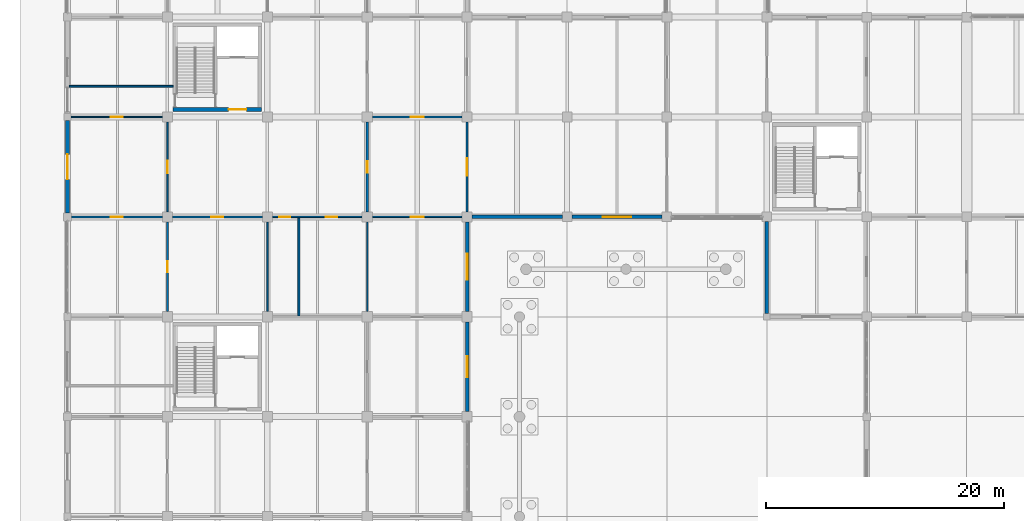
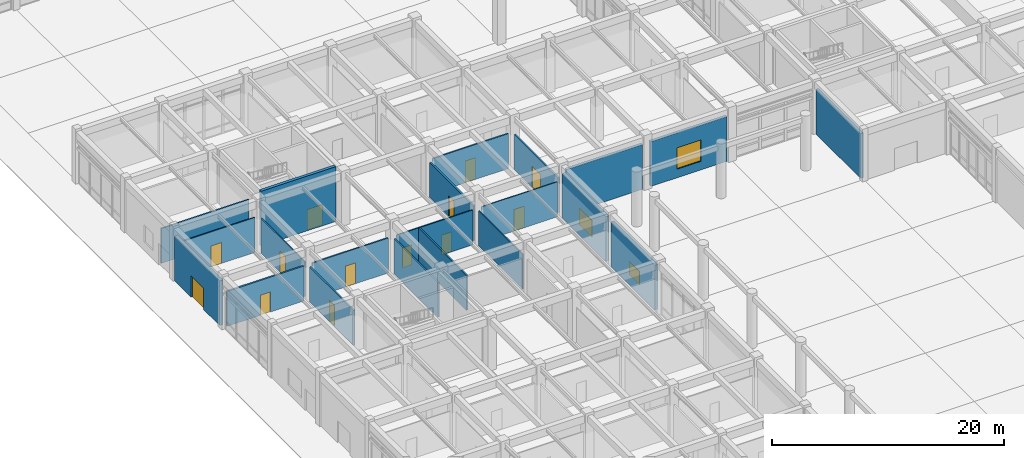
# One storey, part 67 of 91: 21 walls, 13 doors, 3 windows, 16 openings.
"""IFC4 building model written with IfcOpenShell, lengths in metres."""

from ifc_helpers import new_model, si_unit, direction, frame, frame_2d, origin, place, context, subcontext, project, spatial, rectangle, extrude, material, layer, layer_set, type_object, element, fill, save


model = new_model("IFC4")

# Units and contexts
model_context = context("Model", 3, precision=1e-05, world=origin(), true_north=direction((0.0, 1.0)))
body_context = subcontext(model_context, "Body", "Model", "MODEL_VIEW")
ifc_project = project(units=[si_unit("LENGTHUNIT", "METRE"), si_unit("AREAUNIT", "SQUARE_METRE"), si_unit("VOLUMEUNIT", "CUBIC_METRE"), si_unit("PLANEANGLEUNIT", "RADIAN"), si_unit("MASSUNIT", "GRAM", prefix="KILO")], contexts=[model_context])

# Site, building, storey
site_placement = place(None, origin())
site = spatial("IfcSite", under=ifc_project, at=site_placement, CompositionType="ELEMENT")
building_placement = place(site_placement, origin())
building = spatial("IfcBuilding", under=site, at=building_placement, Name="Porcellanite Civic Hall", CompositionType="ELEMENT")
storey_placement = place(building_placement, origin())
storey = spatial("IfcBuildingStorey", under=building, at=storey_placement, Name="L00", CompositionType="ELEMENT", Elevation=0.0)

# Wall, opening, door
ifc_material_1 = material(Name="Concrete N40 (40 MPa)", Category="concrete")
ifc_layer_1 = layer(ifc_material_1, 0.300048828125)
ifc_layer_set_1 = layer_set([ifc_layer_1], Name="Concrete N40 (40 MPa)")
wall_type_1 = type_object("IfcWallType", Name="CW-SH300", PredefinedType="SHEAR", material=ifc_layer_set_1)
wall_1_placement = place(storey_placement, frame((16.320068359375, 59.429931640625, 0.0), z_axis=(0.0, 0.0, 1.0), x_axis=(-1.0, 0.0, 0.0)))
wall_1 = element("IfcWall", 1, at=wall_1_placement, inside=storey, type_object=wall_type_1, Name="Core wall C2 L00 S", PredefinedType="SHEAR", context=body_context, shape_type="SweptSolid", body=[
    extrude(rectangle(XDim=7.440185546875, YDim=0.300048828125, at=frame_2d((3.72021484375, 0.0))), origin(), (0.0, 0.0, 1.0), 5.760009765625),
])
opening_1_placement = place(wall_1_placement, frame((1.280029296875, 0.0, 0.0)))
opening_1 = element("IfcOpeningElement", 2, at=opening_1_placement, cuts=wall_1, Name="Opening FD-C2-L00-LB", PredefinedType="OPENING", context=body_context, shape_type="SweptSolid", body=[
    extrude(rectangle(XDim=1.5, YDim=2.14990234375, at=frame_2d((0.75, 1.074951171875))), frame((0.0, 0.14990234375, 0.0), z_axis=(0.0, -1.0, 0.0), x_axis=(1.0, 0.0, 0.0)), (0.0, 0.0, 1.0), 0.300048828125),
])
ifc_material_2 = material(Name="Fire-rated steel and Georgian wired glass", Category="steel")
door_type_1 = type_object("IfcDoorType", Name="DR-FD150", OperationType="DOUBLE_DOOR_SINGLE_SWING", PredefinedType="DOOR", material=ifc_material_2)
door_1_placement = place(opening_1_placement, origin())
door_1 = element("IfcDoor", 3, at=door_1_placement, inside=storey, type_object=door_type_1, Name="Fire lobby double door FD-C2-L00-LB", OperationType="DOUBLE_DOOR_SINGLE_SWING", OverallHeight=2.14990234375, OverallWidth=1.5, PredefinedType="DOOR", context=body_context, shape_type="SweptSolid", body=[
    extrude(rectangle(XDim=1.5, YDim=2.14990234375, at=frame_2d((0.75, 1.074951171875))), frame((0.0, 0.02490234375, 0.0), z_axis=(0.0, -1.0, 0.0), x_axis=(1.0, 0.0, 0.0)), (0.0, 0.0, 1.0), 0.050048828125),
])
fill(opening_1, door_1)

# Wall
ifc_material_3 = material(Name="Precast concrete N40 (40 MPa)", Category="concrete")
ifc_layer_2 = layer(ifc_material_3, 0.280029296875)
ifc_layer_set_2 = layer_set([ifc_layer_2], Name="Precast concrete N40 (40 MPa)")
wall_type_2 = type_object("IfcWallType", Name="EW-CLO280", PredefinedType="SOLIDWALL", material=ifc_layer_set_2)
wall_2_placement = place(storey_placement, frame((41.59912109375, 50.39990234375, 0.0), z_axis=(0.0, 0.0, 1.0), x_axis=(-1.0, 0.0, 0.0)))
element("IfcWall", 4, at=wall_2_placement, inside=storey, type_object=wall_type_2, Name="Exterior wall L00 S 5-7", PredefinedType="SOLIDWALL", context=body_context, shape_type="SweptSolid", body=[
    extrude(rectangle(XDim=7.5732421875, YDim=0.280029296875, at=frame_2d((3.78662109375, 0.0))), origin(), (0.0, 0.0, 1.0), 4.699951171875),
])

# Wall, opening, window
wall_3_placement = place(storey_placement, frame((49.9990234375, 50.39990234375, 0.0), z_axis=(0.0, 0.0, 1.0), x_axis=(-1.0, 0.0, 0.0)))
wall_3 = element("IfcWall", 5, at=wall_3_placement, inside=storey, type_object=wall_type_2, Name="Exterior wall L00 S 6-7", PredefinedType="SOLIDWALL", context=body_context, shape_type="SweptSolid", body=[
    extrude(rectangle(XDim=7.59814453125, YDim=0.280029296875, at=frame_2d((3.799072265625, 0.0))), origin(), (0.0, 0.0, 1.0), 4.699951171875),
])
opening_2_placement = place(wall_3_placement, frame((2.59912109375, 0.0, 0.89990234375)))
opening_2 = element("IfcOpeningElement", 6, at=opening_2_placement, cuts=wall_3, Name="Opening W19", PredefinedType="OPENING", context=body_context, shape_type="SweptSolid", body=[
    extrude(rectangle(XDim=2.39990234375, YDim=2.25, at=frame_2d((1.199951171875, 1.125))), frame((0.0, 0.14013671875, 0.0), z_axis=(0.0, -1.0, 0.0), x_axis=(1.0, 0.0, 0.0)), (0.0, 0.0, 1.0), 0.280029296875),
])
ifc_material_4 = material(Name="Cyclone laminated low-E glazing in anodised aluminium frame", Category="aluminium")
window_type_1 = type_object("IfcWindowType", Name="WN-19", PartitioningType="TRIPLE_PANEL_VERTICAL", PredefinedType="WINDOW", material=ifc_material_4)
window_1_placement = place(opening_2_placement, origin())
window_1 = element("IfcWindow", 7, at=window_1_placement, inside=storey, type_object=window_type_1, Name="Window W19 L00 S 6-7", OverallHeight=2.25, OverallWidth=2.39990234375, PartitioningType="SINGLE_PANEL", PredefinedType="WINDOW", context=body_context, shape_type="SweptSolid", body=[
    extrude(rectangle(XDim=2.39990234375, YDim=2.25, at=frame_2d((1.199951171875, 1.125))), frame((0.0, 0.030029296875, 0.0), z_axis=(0.0, -1.0, 0.0), x_axis=(1.0, 0.0, 0.0)), (0.0, 0.0, 1.0), 0.06005859375),
])
fill(opening_2, window_1)

# Wall
wall_4_placement = place(storey_placement, frame((58.800048828125, 42.27587890625, 0.0), z_axis=(0.0, 0.0, 1.0), x_axis=(0.0, 1.0, 0.0)))
element("IfcWall", 8, at=wall_4_placement, inside=storey, type_object=wall_type_2, Name="Exterior wall L00 W 8-6", PredefinedType="SOLIDWALL", context=body_context, shape_type="SweptSolid", body=[
    extrude(rectangle(XDim=7.72314453125, YDim=0.280029296875, at=frame_2d((3.861572265625, 0.0))), origin(), (0.0, 0.0, 1.0), 4.699951171875),
])

# Wall, opening, door
ifc_material_5 = material(Name="Precast concrete N40 (40 MPa)", Category="concrete")
ifc_layer_3 = layer(ifc_material_5, 0.320068359375)
ifc_layer_set_3 = layer_set([ifc_layer_3], Name="Precast concrete N40 (40 MPa)")
wall_type_3 = type_object("IfcWallType", Name="EW-COM320", PredefinedType="SOLIDWALL", material=ifc_layer_set_3)
wall_5_placement = place(storey_placement, frame((0.0, 50.72607421875, 0.0), z_axis=(0.0, 0.0, 1.0), x_axis=(0.0, 1.0, 0.0)))
wall_5 = element("IfcWall", 9, at=wall_5_placement, inside=storey, type_object=wall_type_3, Name="Exterior wall L00 W 1-7", PredefinedType="SOLIDWALL", context=body_context, shape_type="SweptSolid", body=[
    extrude(rectangle(XDim=7.77294921875, YDim=0.320068359375, at=frame_2d((3.886474609375, 0.0))), origin(), (0.0, 0.0, 1.0), 4.699951171875),
])
opening_3_placement = place(wall_5_placement, frame((2.8369140625, 0.0, 0.0)))
opening_3 = element("IfcOpeningElement", 10, at=opening_3_placement, cuts=wall_5, Name="Opening ED-11", PredefinedType="OPENING", context=body_context, shape_type="SweptSolid", body=[
    extrude(rectangle(XDim=2.10009765625, YDim=2.25, at=frame_2d((1.050048828125, 1.125))), frame((0.0, 0.16015625, 0.0), z_axis=(0.0, -1.0, 0.0), x_axis=(1.0, 0.0, 0.0)), (0.0, 0.0, 1.0), 0.320068359375),
])
ifc_material_6 = material(Name="Anodised aluminium and laminated safety glass", Category="aluminium")
door_type_2 = type_object("IfcDoorType", Name="DR-EXIT190", OperationType="DOUBLE_DOOR_SINGLE_SWING", PredefinedType="DOOR", material=ifc_material_6)
door_2_placement = place(opening_3_placement, origin())
door_2 = element("IfcDoor", 11, at=door_2_placement, inside=storey, type_object=door_type_2, Name="Pedestrian final exit door ED-11", OperationType="DOUBLE_DOOR_SINGLE_SWING", OverallHeight=2.25, OverallWidth=2.10009765625, PredefinedType="DOOR", context=body_context, shape_type="SweptSolid", body=[
    extrude(rectangle(XDim=2.10009765625, YDim=2.25, at=frame_2d((1.050048828125, 1.125))), frame((0.0, 0.02490234375, 0.0), z_axis=(0.0, -1.0, 0.0), x_axis=(1.0, 0.0, 0.0)), (0.0, 0.0, 1.0), 0.050048828125),
])
fill(opening_3, door_2)

# Wall, opening, window
wall_6_placement = place(storey_placement, frame((33.60009765625, 41.573974609375, 0.0), z_axis=(0.0, 0.0, 1.0), x_axis=(0.0, -1.0, 0.0)))
wall_6 = element("IfcWall", 12, at=wall_6_placement, inside=storey, type_object=wall_type_3, Name="Exterior wall L00 E 4-5", PredefinedType="SOLIDWALL", context=body_context, shape_type="SweptSolid", body=[
    extrude(rectangle(XDim=7.548095703125, YDim=0.320068359375, at=frame_2d((3.77392578125, 0.0))), origin(), (0.0, 0.0, 1.0), 4.699951171875),
])
opening_4_placement = place(wall_6_placement, frame((2.8740234375, 0.0, 0.89990234375)))
opening_4 = element("IfcOpeningElement", 13, at=opening_4_placement, cuts=wall_6, Name="Opening W12", PredefinedType="OPENING", context=body_context, shape_type="SweptSolid", body=[
    extrude(rectangle(XDim=1.800048828125, YDim=1.35009765625, at=frame_2d((0.89990234375, 0.675048828125))), frame((0.0, 0.16015625, 0.0), z_axis=(0.0, -1.0, 0.0), x_axis=(1.0, 0.0, 0.0)), (0.0, 0.0, 1.0), 0.320068359375),
])
ifc_material_7 = material(Name="Cyclone laminated low-E glazing in anodised aluminium frame", Category="aluminium")
window_type_2 = type_object("IfcWindowType", Name="WN-12", PartitioningType="DOUBLE_PANEL_VERTICAL", PredefinedType="WINDOW", material=ifc_material_7)
window_2_placement = place(opening_4_placement, origin())
window_2 = element("IfcWindow", 14, at=window_2_placement, inside=storey, type_object=window_type_2, Name="Window W12 L00 E 4-5", OverallHeight=1.35009765625, OverallWidth=1.800048828125, PartitioningType="SINGLE_PANEL", PredefinedType="WINDOW", context=body_context, shape_type="SweptSolid", body=[
    extrude(rectangle(XDim=1.800048828125, YDim=1.35009765625, at=frame_2d((0.89990234375, 0.675048828125))), frame((0.0, 0.030029296875, 0.0), z_axis=(0.0, -1.0, 0.0), x_axis=(1.0, 0.0, 0.0)), (0.0, 0.0, 1.0), 0.06005859375),
])
fill(opening_4, window_2)

wall_7_placement = place(storey_placement, frame((33.60009765625, 49.97412109375, 0.0), z_axis=(0.0, 0.0, 1.0), x_axis=(0.0, -1.0, 0.0)))
wall_7 = element("IfcWall", 15, at=wall_7_placement, inside=storey, type_object=wall_type_3, Name="Exterior wall L00 E 4-6", PredefinedType="SOLIDWALL", context=body_context, shape_type="SweptSolid", body=[
    extrude(rectangle(XDim=7.548095703125, YDim=0.320068359375, at=frame_2d((3.77392578125, 0.0))), origin(), (0.0, 0.0, 1.0), 4.699951171875),
])
opening_5_placement = place(wall_7_placement, frame((2.674072265625, 0.0, 0.89990234375)))
opening_5 = element("IfcOpeningElement", 16, at=opening_5_placement, cuts=wall_7, Name="Opening W13", PredefinedType="OPENING", context=body_context, shape_type="SweptSolid", body=[
    extrude(rectangle(XDim=2.199951171875, YDim=1.75, at=frame_2d((1.10009765625, 0.875))), frame((0.0, 0.16015625, 0.0), z_axis=(0.0, -1.0, 0.0), x_axis=(1.0, 0.0, 0.0)), (0.0, 0.0, 1.0), 0.320068359375),
])
ifc_material_8 = material(Name="Cyclone laminated low-E glazing in anodised aluminium frame", Category="aluminium")
window_type_3 = type_object("IfcWindowType", Name="WN-13", PartitioningType="DOUBLE_PANEL_VERTICAL", PredefinedType="WINDOW", material=ifc_material_8)
window_3_placement = place(opening_5_placement, origin())
window_3 = element("IfcWindow", 17, at=window_3_placement, inside=storey, type_object=window_type_3, Name="Window W13 L00 E 4-6", OverallHeight=1.75, OverallWidth=2.199951171875, PartitioningType="SINGLE_PANEL", PredefinedType="WINDOW", context=body_context, shape_type="SweptSolid", body=[
    extrude(rectangle(XDim=2.199951171875, YDim=1.75, at=frame_2d((1.10009765625, 0.875))), frame((0.0, 0.030029296875, 0.0), z_axis=(0.0, -1.0, 0.0), x_axis=(1.0, 0.0, 0.0)), (0.0, 0.0, 1.0), 0.06005859375),
])
fill(opening_5, window_3)

# Wall
ifc_material_9 = material(Name="Fire-rated plasterboard on light-gauge steel studs", Category="steel")
ifc_layer_4 = layer(ifc_material_9, 0.14794921875)
ifc_layer_set_4 = layer_set([ifc_layer_4], Name="Fire-rated plasterboard on light-gauge steel studs")
wall_type_4 = type_object("IfcWallType", Name="IW-FR148", PredefinedType="PARTITIONING", material=ifc_layer_set_4)
wall_8_placement = place(storey_placement, frame((0.159912109375, 61.39404296875, 0.0), z_axis=(0.0, 0.0, 1.0), x_axis=(1.0, 0.0, 0.0)))
element("IfcWall", 18, at=wall_8_placement, inside=storey, type_object=wall_type_4, Name="Exit passage wall ST-02 L00", PredefinedType="PARTITIONING", context=body_context, shape_type="SweptSolid", body=[
    extrude(rectangle(XDim=8.719970703125, YDim=0.14794921875, at=frame_2d((4.35986328125, 0.0))), origin(), (0.0, 0.0, 1.0), 3.659912109375),
])

# Wall, openings, doors
ifc_material_10 = material(Name="Insulated acoustic plasterboard on light-gauge steel studs", Category="steel")
ifc_layer_5 = layer(ifc_material_10, 0.114990234375)
ifc_layer_set_5 = layer_set([ifc_layer_5], Name="Insulated acoustic plasterboard on light-gauge steel studs")
wall_type_5 = type_object("IfcWallType", Name="IW-PT115", PredefinedType="PARTITIONING", material=ifc_layer_set_5)
wall_9_placement = place(storey_placement, frame((17.22705078125, 50.39990234375, 0.0), z_axis=(0.0, 0.0, 1.0), x_axis=(1.0, 0.0, 0.0)))
wall_9 = element("IfcWall", 19, at=wall_9_placement, inside=storey, type_object=wall_type_5, Name="Partition L00 H 3-6", PredefinedType="PARTITIONING", context=body_context, shape_type="SweptSolid", body=[
    extrude(rectangle(XDim=7.5458984375, YDim=0.114990234375, at=frame_2d((3.77294921875, 0.0))), origin(), (0.0, 0.0, 1.0), 3.659912109375),
])
opening_6_placement = place(wall_9_placement, frame((0.577880859375, 0.0, 0.0)))
opening_6 = element("IfcOpeningElement", 20, at=opening_6_placement, cuts=wall_9, Name="Opening D-L00-029", PredefinedType="OPENING", context=body_context, shape_type="SweptSolid", body=[
    extrude(rectangle(XDim=0.919921875, YDim=2.10009765625, at=frame_2d((0.4599609375, 1.050048828125))), frame((0.0, 0.0576171875, 0.0), z_axis=(0.0, -1.0, 0.0), x_axis=(1.0, 0.0, 0.0)), (0.0, 0.0, 1.0), 0.114990234375),
])
opening_7_placement = place(wall_9_placement, frame((4.468017578125, 0.0, 0.0)))
opening_7 = element("IfcOpeningElement", 21, at=opening_7_placement, cuts=wall_9, Name="Opening D-L00-030", PredefinedType="OPENING", context=body_context, shape_type="SweptSolid", body=[
    extrude(rectangle(XDim=0.97998046875, YDim=2.080078125, at=frame_2d((0.489990234375, 1.0400390625))), frame((0.0, 0.0576171875, 0.0), z_axis=(0.0, -1.0, 0.0), x_axis=(1.0, 0.0, 0.0)), (0.0, 0.0, 1.0), 0.114990234375),
])
ifc_material_11 = material(Name="Moisture-resistant laminate solid-core timber", Category="wood")
door_type_3 = type_object("IfcDoorType", Name="DR-WC092", OperationType="NOTDEFINED", PredefinedType="DOOR", material=ifc_material_11)
door_3_placement = place(opening_6_placement, origin())
door_3 = element("IfcDoor", 22, at=door_3_placement, inside=storey, type_object=door_type_3, Name="Interior door D-L00-029", OperationType="SINGLE_SWING_LEFT", OverallHeight=2.10009765625, OverallWidth=0.919921875, PredefinedType="DOOR", context=body_context, shape_type="SweptSolid", body=[
    extrude(rectangle(XDim=0.919921875, YDim=2.10009765625, at=frame_2d((0.4599609375, 1.050048828125))), frame((0.0, 0.02490234375, 0.0), z_axis=(0.0, -1.0, 0.0), x_axis=(1.0, 0.0, 0.0)), (0.0, 0.0, 1.0), 0.050048828125),
])
fill(opening_6, door_3)
ifc_material_12 = material(Name="Moisture-resistant laminate solid-core timber", Category="wood")
door_type_4 = type_object("IfcDoorType", Name="DR-WC098", OperationType="NOTDEFINED", PredefinedType="DOOR", material=ifc_material_12)
door_4_placement = place(opening_7_placement, origin())
door_4 = element("IfcDoor", 23, at=door_4_placement, inside=storey, type_object=door_type_4, Name="Interior door D-L00-030", OperationType="SINGLE_SWING_RIGHT", OverallHeight=2.080078125, OverallWidth=0.97998046875, PredefinedType="DOOR", context=body_context, shape_type="SweptSolid", body=[
    extrude(rectangle(XDim=0.97998046875, YDim=2.080078125, at=frame_2d((0.489990234375, 1.0400390625))), frame((0.0, 0.02490234375, 0.0), z_axis=(0.0, -1.0, 0.0), x_axis=(1.0, 0.0, 0.0)), (0.0, 0.0, 1.0), 0.050048828125),
])
fill(opening_7, door_4)

# Wall
wall_10_placement = place(storey_placement, frame((25.199951171875, 42.427001953125, 0.0), z_axis=(0.0, 0.0, 1.0), x_axis=(0.0, 1.0, 0.0)))
element("IfcWall", 24, at=wall_10_placement, inside=storey, type_object=wall_type_5, Name="Partition L00 V 3-6", PredefinedType="PARTITIONING", context=body_context, shape_type="SweptSolid", body=[
    extrude(rectangle(XDim=7.5458984375, YDim=0.114990234375, at=frame_2d((3.77294921875, 0.0))), origin(), (0.0, 0.0, 1.0), 3.659912109375),
])

# Wall, opening, door
ifc_material_13 = material(Name="Insulated acoustic plasterboard on light-gauge steel studs", Category="steel")
ifc_layer_6 = layer(ifc_material_13, 0.125)
ifc_layer_set_6 = layer_set([ifc_layer_6], Name="Insulated acoustic plasterboard on light-gauge steel studs")
wall_type_6 = type_object("IfcWallType", Name="IW-PT125", PredefinedType="PARTITIONING", material=ifc_layer_set_6)
wall_11_placement = place(storey_placement, frame((0.302001953125, 58.800048828125, 0.0), z_axis=(0.0, 0.0, 1.0), x_axis=(1.0, 0.0, 0.0)))
wall_11 = element("IfcWall", 25, at=wall_11_placement, inside=storey, type_object=wall_type_6, Name="Partition L00 H 1-7", PredefinedType="PARTITIONING", context=body_context, shape_type="SweptSolid", body=[
    extrude(rectangle(XDim=7.6708984375, YDim=0.125, at=frame_2d((3.83544921875, 0.0))), origin(), (0.0, 0.0, 1.0), 3.659912109375),
])
opening_8_placement = place(wall_11_placement, frame((3.31591796875, 0.0, 0.0)))
opening_8 = element("IfcOpeningElement", 26, at=opening_8_placement, cuts=wall_11, Name="Opening D-L00-093", PredefinedType="OPENING", context=body_context, shape_type="SweptSolid", body=[
    extrude(rectangle(XDim=1.0400390625, YDim=2.199951171875, at=frame_2d((0.52001953125, 1.10009765625))), frame((0.0, 0.0625, 0.0), z_axis=(0.0, -1.0, 0.0), x_axis=(1.0, 0.0, 0.0)), (0.0, 0.0, 1.0), 0.125),
])
ifc_material_14 = material(Name="Solid-core spotted-gum timber", Category="wood")
door_type_5 = type_object("IfcDoorType", Name="DR-RM104", OperationType="NOTDEFINED", PredefinedType="DOOR", material=ifc_material_14)
door_5_placement = place(opening_8_placement, origin())
door_5 = element("IfcDoor", 27, at=door_5_placement, inside=storey, type_object=door_type_5, Name="Interior door D-L00-093", OperationType="SINGLE_SWING_RIGHT", OverallHeight=2.199951171875, OverallWidth=1.0400390625, PredefinedType="DOOR", context=body_context, shape_type="SweptSolid", body=[
    extrude(rectangle(XDim=1.0400390625, YDim=2.199951171875, at=frame_2d((0.52001953125, 1.10009765625))), frame((0.0, 0.02490234375, 0.0), z_axis=(0.0, -1.0, 0.0), x_axis=(1.0, 0.0, 0.0)), (0.0, 0.0, 1.0), 0.050048828125),
])
fill(opening_8, door_5)

wall_12_placement = place(storey_placement, frame((8.39990234375, 50.826904296875, 0.0), z_axis=(0.0, 0.0, 1.0), x_axis=(0.0, 1.0, 0.0)))
wall_12 = element("IfcWall", 28, at=wall_12_placement, inside=storey, type_object=wall_type_6, Name="Partition L00 V 1-7", PredefinedType="PARTITIONING", context=body_context, shape_type="SweptSolid", body=[
    extrude(rectangle(XDim=7.546142578125, YDim=0.125, at=frame_2d((3.77294921875, 0.0))), origin(), (0.0, 0.0, 1.0), 3.659912109375),
])
opening_9_placement = place(wall_12_placement, frame((3.262939453125, 0.0, 0.0)))
opening_9 = element("IfcOpeningElement", 29, at=opening_9_placement, cuts=wall_12, Name="Opening D-L00-068", PredefinedType="OPENING", context=body_context, shape_type="SweptSolid", body=[
    extrude(rectangle(XDim=1.02001953125, YDim=2.199951171875, at=frame_2d((0.510009765625, 1.10009765625))), frame((0.0, 0.0625, 0.0), z_axis=(0.0, -1.0, 0.0), x_axis=(1.0, 0.0, 0.0)), (0.0, 0.0, 1.0), 0.125),
])
ifc_material_15 = material(Name="Solid-core spotted-gum timber", Category="wood")
door_type_6 = type_object("IfcDoorType", Name="DR-RM102", OperationType="NOTDEFINED", PredefinedType="DOOR", material=ifc_material_15)
door_6_placement = place(opening_9_placement, origin())
door_6 = element("IfcDoor", 30, at=door_6_placement, inside=storey, type_object=door_type_6, Name="Interior door D-L00-068", OperationType="SINGLE_SWING_LEFT", OverallHeight=2.199951171875, OverallWidth=1.02001953125, PredefinedType="DOOR", context=body_context, shape_type="SweptSolid", body=[
    extrude(rectangle(XDim=1.02001953125, YDim=2.199951171875, at=frame_2d((0.510009765625, 1.10009765625))), frame((0.0, 0.02490234375, 0.0), z_axis=(0.0, -1.0, 0.0), x_axis=(1.0, 0.0, 0.0)), (0.0, 0.0, 1.0), 0.050048828125),
])
fill(opening_9, door_6)

ifc_material_16 = material(Name="Insulated acoustic plasterboard on light-gauge steel studs", Category="steel")
ifc_layer_7 = layer(ifc_material_16, 0.14501953125)
ifc_layer_set_7 = layer_set([ifc_layer_7], Name="Insulated acoustic plasterboard on light-gauge steel studs")
wall_type_7 = type_object("IfcWallType", Name="IW-PT145", PredefinedType="PARTITIONING", material=ifc_layer_set_7)
wall_13_placement = place(storey_placement, frame((8.826904296875, 50.39990234375, 0.0), z_axis=(0.0, 0.0, 1.0), x_axis=(1.0, 0.0, 0.0)))
wall_13 = element("IfcWall", 31, at=wall_13_placement, inside=storey, type_object=wall_type_7, Name="Partition L00 H 2-6", PredefinedType="PARTITIONING", context=body_context, shape_type="SweptSolid", body=[
    extrude(rectangle(XDim=7.546142578125, YDim=0.14501953125, at=frame_2d((3.77294921875, 0.0))), origin(), (0.0, 0.0, 1.0), 3.659912109375),
])
opening_10_placement = place(wall_13_placement, frame((3.262939453125, 0.0, 0.0)))
opening_10 = element("IfcOpeningElement", 32, at=opening_10_placement, cuts=wall_13, Name="Opening D-L00-042", PredefinedType="OPENING", context=body_context, shape_type="SweptSolid", body=[
    extrude(rectangle(XDim=1.02001953125, YDim=2.199951171875, at=frame_2d((0.510009765625, 1.10009765625))), frame((0.0, 0.072509765625, 0.0), z_axis=(0.0, -1.0, 0.0), x_axis=(1.0, 0.0, 0.0)), (0.0, 0.0, 1.0), 0.14501953125),
])
door_7_placement = place(opening_10_placement, origin())
door_7 = element("IfcDoor", 33, at=door_7_placement, inside=storey, type_object=door_type_6, Name="Interior door D-L00-042", OperationType="SINGLE_SWING_RIGHT", OverallHeight=2.199951171875, OverallWidth=1.02001953125, PredefinedType="DOOR", context=body_context, shape_type="SweptSolid", body=[
    extrude(rectangle(XDim=1.02001953125, YDim=2.199951171875, at=frame_2d((0.510009765625, 1.10009765625))), frame((0.0, 0.02490234375, 0.0), z_axis=(0.0, -1.0, 0.0), x_axis=(1.0, 0.0, 0.0)), (0.0, 0.0, 1.0), 0.050048828125),
])
fill(opening_10, door_7)

# Wall
wall_14_placement = place(storey_placement, frame((16.800048828125, 42.427001953125, 0.0), z_axis=(0.0, 0.0, 1.0), x_axis=(0.0, 1.0, 0.0)))
element("IfcWall", 34, at=wall_14_placement, inside=storey, type_object=wall_type_7, Name="Partition L00 V 2-6", PredefinedType="PARTITIONING", context=body_context, shape_type="SweptSolid", body=[
    extrude(rectangle(XDim=7.5458984375, YDim=0.14501953125, at=frame_2d((3.77294921875, 0.0))), origin(), (0.0, 0.0, 1.0), 3.659912109375),
])

# Wall, opening, door
ifc_material_17 = material(Name="Insulated acoustic plasterboard on light-gauge steel studs", Category="steel")
ifc_layer_8 = layer(ifc_material_17, 0.155029296875)
ifc_layer_set_8 = layer_set([ifc_layer_8], Name="Insulated acoustic plasterboard on light-gauge steel studs")
wall_type_8 = type_object("IfcWallType", Name="IW-PT155", PredefinedType="PARTITIONING", material=ifc_layer_set_8)
wall_15_placement = place(storey_placement, frame((25.626953125, 58.800048828125, 0.0), z_axis=(0.0, 0.0, 1.0), x_axis=(1.0, 0.0, 0.0)))
wall_15 = element("IfcWall", 35, at=wall_15_placement, inside=storey, type_object=wall_type_8, Name="Partition L00 H 4-7", PredefinedType="PARTITIONING", context=body_context, shape_type="SweptSolid", body=[
    extrude(rectangle(XDim=7.546142578125, YDim=0.155029296875, at=frame_2d((3.77294921875, 0.0))), origin(), (0.0, 0.0, 1.0), 3.659912109375),
])
opening_11_placement = place(wall_15_placement, frame((3.242919921875, 0.0, 0.0)))
opening_11 = element("IfcOpeningElement", 36, at=opening_11_placement, cuts=wall_15, Name="Opening D-L00-144", PredefinedType="OPENING", context=body_context, shape_type="SweptSolid", body=[
    extrude(rectangle(XDim=1.06005859375, YDim=2.25, at=frame_2d((0.530029296875, 1.125))), frame((0.0, 0.07763671875, 0.0), z_axis=(0.0, -1.0, 0.0), x_axis=(1.0, 0.0, 0.0)), (0.0, 0.0, 1.0), 0.155029296875),
])
ifc_material_18 = material(Name="Solid-core spotted-gum timber", Category="wood")
door_type_7 = type_object("IfcDoorType", Name="DR-RM106", OperationType="NOTDEFINED", PredefinedType="DOOR", material=ifc_material_18)
door_8_placement = place(opening_11_placement, origin())
door_8 = element("IfcDoor", 37, at=door_8_placement, inside=storey, type_object=door_type_7, Name="Interior door D-L00-144", OperationType="SINGLE_SWING_RIGHT", OverallHeight=2.25, OverallWidth=1.06005859375, PredefinedType="DOOR", context=body_context, shape_type="SweptSolid", body=[
    extrude(rectangle(XDim=1.06005859375, YDim=2.25, at=frame_2d((0.530029296875, 1.125))), frame((0.0, 0.02490234375, 0.0), z_axis=(0.0, -1.0, 0.0), x_axis=(1.0, 0.0, 0.0)), (0.0, 0.0, 1.0), 0.050048828125),
])
fill(opening_11, door_8)

wall_16_placement = place(storey_placement, frame((33.60009765625, 50.826904296875, 0.0), z_axis=(0.0, 0.0, 1.0), x_axis=(0.0, 1.0, 0.0)))
wall_16 = element("IfcWall", 38, at=wall_16_placement, inside=storey, type_object=wall_type_8, Name="Partition L00 V 4-7", PredefinedType="PARTITIONING", context=body_context, shape_type="SweptSolid", body=[
    extrude(rectangle(XDim=7.546142578125, YDim=0.155029296875, at=frame_2d((3.77294921875, 0.0))), origin(), (0.0, 0.0, 1.0), 3.659912109375),
])
opening_12_placement = place(wall_16_placement, frame((3.048095703125, 0.0, 0.0)))
opening_12 = element("IfcOpeningElement", 39, at=opening_12_placement, cuts=wall_16, Name="Opening D-L00-074", PredefinedType="OPENING", context=body_context, shape_type="SweptSolid", body=[
    extrude(rectangle(XDim=1.449951171875, YDim=2.199951171875, at=frame_2d((0.72509765625, 1.10009765625))), frame((0.0, 0.07763671875, 0.0), z_axis=(0.0, -1.0, 0.0), x_axis=(1.0, 0.0, 0.0)), (0.0, 0.0, 1.0), 0.155029296875),
])
ifc_material_19 = material(Name="Acoustic spotted-gum timber and safety glass", Category="wood")
door_type_8 = type_object("IfcDoorType", Name="DR-AS145", OperationType="DOUBLE_DOOR_SINGLE_SWING", PredefinedType="DOOR", material=ifc_material_19)
door_9_placement = place(opening_12_placement, origin())
door_9 = element("IfcDoor", 40, at=door_9_placement, inside=storey, type_object=door_type_8, Name="Interior door D-L00-074", OperationType="DOUBLE_DOOR_SINGLE_SWING", OverallHeight=2.199951171875, OverallWidth=1.449951171875, PredefinedType="DOOR", context=body_context, shape_type="SweptSolid", body=[
    extrude(rectangle(XDim=1.449951171875, YDim=2.199951171875, at=frame_2d((0.72509765625, 1.10009765625))), frame((0.0, 0.02490234375, 0.0), z_axis=(0.0, -1.0, 0.0), x_axis=(1.0, 0.0, 0.0)), (0.0, 0.0, 1.0), 0.050048828125),
])
fill(opening_12, door_9)

# Wall
wall_17_placement = place(storey_placement, frame((19.449951171875, 42.08447265625, 0.0), z_axis=(0.0, 0.0, 1.0), x_axis=(0.0, 1.0, 0.0)))
element("IfcWall", 41, at=wall_17_placement, inside=storey, type_object=wall_type_8, Name="Partition L00 sub 3-6", PredefinedType="PARTITIONING", context=body_context, shape_type="SweptSolid", body=[
    extrude(rectangle(XDim=8.256103515625, YDim=0.155029296875, at=frame_2d((4.1279296875, 0.0))), origin(), (0.0, 0.0, 1.0), 3.659912109375),
])

# Wall, opening, door
ifc_material_20 = material(Name="Insulated acoustic plasterboard on light-gauge steel studs", Category="steel")
ifc_layer_9 = layer(ifc_material_20, 0.175048828125)
ifc_layer_set_9 = layer_set([ifc_layer_9], Name="Insulated acoustic plasterboard on light-gauge steel studs")
wall_type_9 = type_object("IfcWallType", Name="IW-PT175", PredefinedType="PARTITIONING", material=ifc_layer_set_9)
wall_18_placement = place(storey_placement, frame((0.326904296875, 50.39990234375, 0.0), z_axis=(0.0, 0.0, 1.0), x_axis=(1.0, 0.0, 0.0)))
wall_18 = element("IfcWall", 42, at=wall_18_placement, inside=storey, type_object=wall_type_9, Name="Partition L00 H 1-6", PredefinedType="PARTITIONING", context=body_context, shape_type="SweptSolid", body=[
    extrude(rectangle(XDim=7.64599609375, YDim=0.175048828125, at=frame_2d((3.822998046875, 0.0))), origin(), (0.0, 0.0, 1.0), 3.659912109375),
])
opening_13_placement = place(wall_18_placement, frame((3.318115234375, 0.0, 0.0)))
opening_13 = element("IfcOpeningElement", 43, at=opening_13_placement, cuts=wall_18, Name="Opening D-L00-140", PredefinedType="OPENING", context=body_context, shape_type="SweptSolid", body=[
    extrude(rectangle(XDim=1.010009765625, YDim=2.1201171875, at=frame_2d((0.5048828125, 1.06005859375))), frame((0.0, 0.08740234375, 0.0), z_axis=(0.0, -1.0, 0.0), x_axis=(1.0, 0.0, 0.0)), (0.0, 0.0, 1.0), 0.175048828125),
])
ifc_material_21 = material(Name="Solid-core spotted-gum timber", Category="wood")
door_type_9 = type_object("IfcDoorType", Name="DR-RM101", OperationType="NOTDEFINED", PredefinedType="DOOR", material=ifc_material_21)
door_10_placement = place(opening_13_placement, origin())
door_10 = element("IfcDoor", 44, at=door_10_placement, inside=storey, type_object=door_type_9, Name="Interior door D-L00-140", OperationType="SINGLE_SWING_RIGHT", OverallHeight=2.1201171875, OverallWidth=1.010009765625, PredefinedType="DOOR", context=body_context, shape_type="SweptSolid", body=[
    extrude(rectangle(XDim=1.010009765625, YDim=2.1201171875, at=frame_2d((0.5048828125, 1.06005859375))), frame((0.0, 0.02490234375, 0.0), z_axis=(0.0, -1.0, 0.0), x_axis=(1.0, 0.0, 0.0)), (0.0, 0.0, 1.0), 0.050048828125),
])
fill(opening_13, door_10)

wall_19_placement = place(storey_placement, frame((8.39990234375, 42.427001953125, 0.0), z_axis=(0.0, 0.0, 1.0), x_axis=(0.0, 1.0, 0.0)))
wall_19 = element("IfcWall", 45, at=wall_19_placement, inside=storey, type_object=wall_type_9, Name="Partition L00 V 1-6", PredefinedType="PARTITIONING", context=body_context, shape_type="SweptSolid", body=[
    extrude(rectangle(XDim=7.5458984375, YDim=0.175048828125, at=frame_2d((3.77294921875, 0.0))), origin(), (0.0, 0.0, 1.0), 3.659912109375),
])
opening_14_placement = place(wall_19_placement, frame((3.302978515625, 0.0, 0.0)))
opening_14 = element("IfcOpeningElement", 46, at=opening_14_placement, cuts=wall_19, Name="Opening D-L00-150", PredefinedType="OPENING", context=body_context, shape_type="SweptSolid", body=[
    extrude(rectangle(XDim=0.93994140625, YDim=2.14990234375, at=frame_2d((0.469970703125, 1.074951171875))), frame((0.0, 0.08740234375, 0.0), z_axis=(0.0, -1.0, 0.0), x_axis=(1.0, 0.0, 0.0)), (0.0, 0.0, 1.0), 0.175048828125),
])
ifc_material_22 = material(Name="Solid-core spotted-gum timber", Category="wood")
door_type_10 = type_object("IfcDoorType", Name="DR-RM094", OperationType="NOTDEFINED", PredefinedType="DOOR", material=ifc_material_22)
door_11_placement = place(opening_14_placement, origin())
door_11 = element("IfcDoor", 47, at=door_11_placement, inside=storey, type_object=door_type_10, Name="Interior door D-L00-150", OperationType="SINGLE_SWING_RIGHT", OverallHeight=2.14990234375, OverallWidth=0.93994140625, PredefinedType="DOOR", context=body_context, shape_type="SweptSolid", body=[
    extrude(rectangle(XDim=0.93994140625, YDim=2.14990234375, at=frame_2d((0.469970703125, 1.074951171875))), frame((0.0, 0.02490234375, 0.0), z_axis=(0.0, -1.0, 0.0), x_axis=(1.0, 0.0, 0.0)), (0.0, 0.0, 1.0), 0.050048828125),
])
fill(opening_14, door_11)

ifc_material_23 = material(Name="Insulated acoustic plasterboard on light-gauge steel studs", Category="steel")
ifc_layer_10 = layer(ifc_material_23, 0.18505859375)
ifc_layer_set_10 = layer_set([ifc_layer_10], Name="Insulated acoustic plasterboard on light-gauge steel studs")
wall_type_10 = type_object("IfcWallType", Name="IW-PT185", PredefinedType="PARTITIONING", material=ifc_layer_set_10)
wall_20_placement = place(storey_placement, frame((25.199951171875, 50.826904296875, 0.0), z_axis=(0.0, 0.0, 1.0), x_axis=(0.0, 1.0, 0.0)))
wall_20 = element("IfcWall", 48, at=wall_20_placement, inside=storey, type_object=wall_type_10, Name="Partition L00 V 3-7", PredefinedType="PARTITIONING", context=body_context, shape_type="SweptSolid", body=[
    extrude(rectangle(XDim=7.546142578125, YDim=0.18505859375, at=frame_2d((3.77294921875, 0.0))), origin(), (0.0, 0.0, 1.0), 3.659912109375),
])
opening_15_placement = place(wall_20_placement, frame((3.302978515625, 0.0, 0.0)))
opening_15 = element("IfcOpeningElement", 49, at=opening_15_placement, cuts=wall_20, Name="Opening D-L00-072", PredefinedType="OPENING", context=body_context, shape_type="SweptSolid", body=[
    extrude(rectangle(XDim=0.93994140625, YDim=2.14990234375, at=frame_2d((0.469970703125, 1.074951171875))), frame((0.0, 0.092529296875, 0.0), z_axis=(0.0, -1.0, 0.0), x_axis=(1.0, 0.0, 0.0)), (0.0, 0.0, 1.0), 0.18505859375),
])
door_12_placement = place(opening_15_placement, origin())
door_12 = element("IfcDoor", 50, at=door_12_placement, inside=storey, type_object=door_type_10, Name="Interior door D-L00-072", OperationType="SINGLE_SWING_LEFT", OverallHeight=2.14990234375, OverallWidth=0.93994140625, PredefinedType="DOOR", context=body_context, shape_type="SweptSolid", body=[
    extrude(rectangle(XDim=0.93994140625, YDim=2.14990234375, at=frame_2d((0.469970703125, 1.074951171875))), frame((0.0, 0.02490234375, 0.0), z_axis=(0.0, -1.0, 0.0), x_axis=(1.0, 0.0, 0.0)), (0.0, 0.0, 1.0), 0.050048828125),
])
fill(opening_15, door_12)

ifc_material_24 = material(Name="Acoustic timber-veneered operable panel system", Category="wood")
ifc_layer_11 = layer(ifc_material_24, 0.110107421875)
ifc_layer_set_11 = layer_set([ifc_layer_11], Name="Acoustic timber-veneered operable panel system")
wall_type_11 = type_object("IfcWallType", Name="MW-OP110", PredefinedType="MOVABLE", material=ifc_layer_set_11)
wall_21_placement = place(storey_placement, frame((25.626953125, 50.39990234375, 0.0), z_axis=(0.0, 0.0, 1.0), x_axis=(1.0, 0.0, 0.0)))
wall_21 = element("IfcWall", 51, at=wall_21_placement, inside=storey, type_object=wall_type_11, Name="Partition L00 H 4-6", PredefinedType="MOVABLE", context=body_context, shape_type="SweptSolid", body=[
    extrude(rectangle(XDim=7.546142578125, YDim=0.110107421875, at=frame_2d((3.77294921875, 0.0))), origin(), (0.0, 0.0, 1.0), 3.659912109375),
])
opening_16_placement = place(wall_21_placement, frame((3.23291015625, 0.0, 0.0)))
opening_16 = element("IfcOpeningElement", 52, at=opening_16_placement, cuts=wall_21, Name="Opening D-L00-143", PredefinedType="OPENING", context=body_context, shape_type="SweptSolid", body=[
    extrude(rectangle(XDim=1.080078125, YDim=2.25, at=frame_2d((0.5400390625, 1.125))), frame((0.0, 0.05517578125, 0.0), z_axis=(0.0, -1.0, 0.0), x_axis=(1.0, 0.0, 0.0)), (0.0, 0.0, 1.0), 0.110107421875),
])
ifc_material_25 = material(Name="Solid-core spotted-gum timber", Category="wood")
door_type_11 = type_object("IfcDoorType", Name="DR-RM108", OperationType="NOTDEFINED", PredefinedType="DOOR", material=ifc_material_25)
door_13_placement = place(opening_16_placement, origin())
door_13 = element("IfcDoor", 53, at=door_13_placement, inside=storey, type_object=door_type_11, Name="Interior door D-L00-143", OperationType="SINGLE_SWING_LEFT", OverallHeight=2.25, OverallWidth=1.080078125, PredefinedType="DOOR", context=body_context, shape_type="SweptSolid", body=[
    extrude(rectangle(XDim=1.080078125, YDim=2.25, at=frame_2d((0.5400390625, 1.125))), frame((0.0, 0.02490234375, 0.0), z_axis=(0.0, -1.0, 0.0), x_axis=(1.0, 0.0, 0.0)), (0.0, 0.0, 1.0), 0.050048828125),
])
fill(opening_16, door_13)

save(model, "model.ifc")
